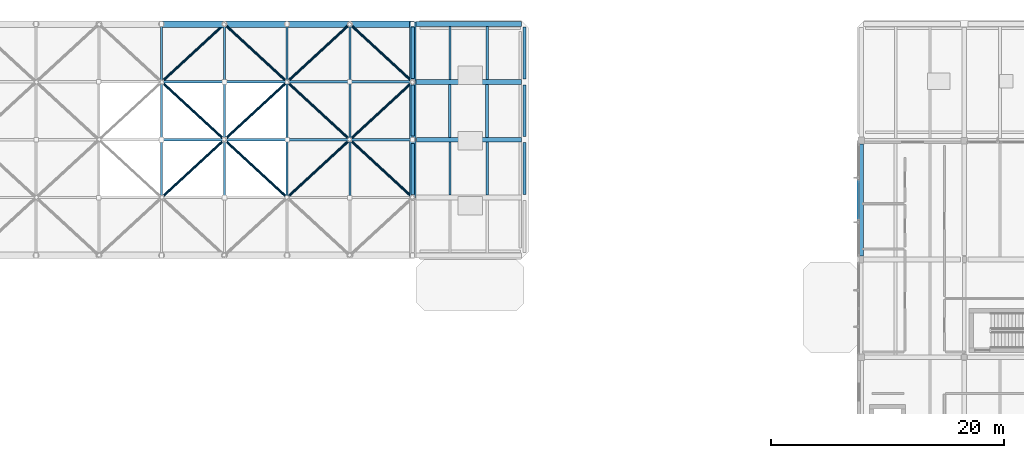
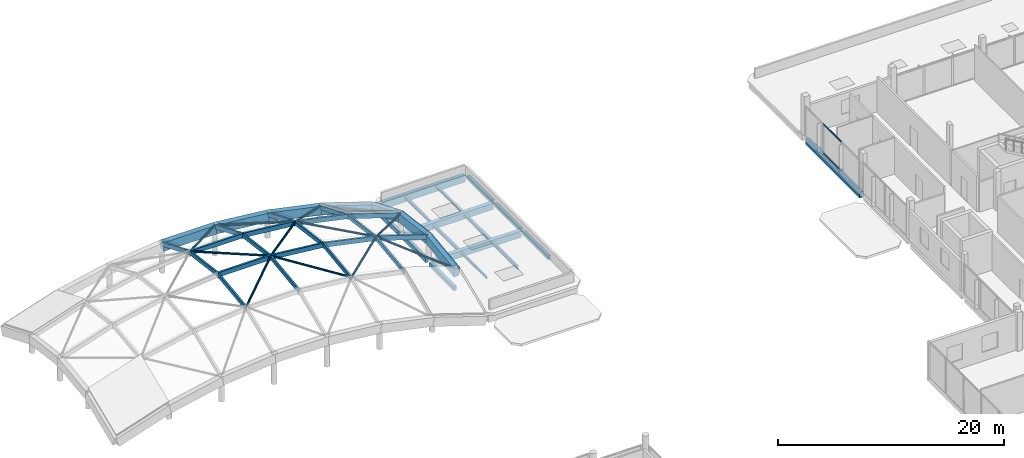
# One storey, part 22 of 66: 34 members, 23 beams, 1 element without a shape of its own.
"""IFC4 building model written with IfcOpenShell, lengths in metres."""

from ifc_helpers import new_model, si_unit, direction, frame, origin, origin_2d, place, context, subcontext, project, spatial, rectangle, hollow_circle, i_section, extrude, material, layer, layer_set, material_profile, profile_set, type_object, element, aggregate, save


model = new_model("IFC4")

# Units and contexts
model_context = context("Model", 3, precision=1e-05, world=origin(), true_north=direction((0.0, 1.0)))
body_context = subcontext(model_context, "Body", "Model", "MODEL_VIEW")
ifc_project = project(units=[si_unit("LENGTHUNIT", "METRE"), si_unit("AREAUNIT", "SQUARE_METRE"), si_unit("VOLUMEUNIT", "CUBIC_METRE"), si_unit("PLANEANGLEUNIT", "RADIAN"), si_unit("MASSUNIT", "GRAM", prefix="KILO")], contexts=[model_context])

# Site, building, storey
site_placement = place(None, origin())
site = spatial("IfcSite", under=ifc_project, at=site_placement, CompositionType="ELEMENT")
building_placement = place(site_placement, origin())
building = spatial("IfcBuilding", under=site, at=building_placement, Name="Birchvale Park Specialist Clinic", CompositionType="ELEMENT")
storey_placement = place(building_placement, frame((0.0, 0.0, 5.39990234375)))
storey = spatial("IfcBuildingStorey", under=building, at=storey_placement, Name="L01", CompositionType="ELEMENT", Elevation=5.39990234375)

# Beams
ifc_material_1 = material(Name="Concrete C40/50", Category="concrete")
ifc_material_profile_1 = material_profile(ifc_material_1, rectangle(XDim=0.419921875, YDim=0.719970703125, at=origin_2d()), Name="RCB-420x720")
ifc_profile_set_1 = profile_set([ifc_material_profile_1], Name="Concrete C40/50")
beam_type_1 = type_object("IfcBeamType", Name="BM-EXT-BG3", PredefinedType="BEAM", material=ifc_profile_set_1)
beam_1_placement = place(storey_placement, frame((90.110107421875, 111.39990234375, -0.635009765625), z_axis=(1.0, 0.0, 0.0), x_axis=(0.0, 1.0, 0.0)))
element("IfcBeam", 1, at=beam_1_placement, inside=storey, type_object=beam_type_1, Name="V3 L01 X girder 5", PredefinedType="BEAM", context=body_context, shape_type="SweptSolid", body=[
    extrude(rectangle(XDim=0.419921875, YDim=0.719970703125, at=origin_2d()), origin(), (0.0, 0.0, 1.0), 9.079833984375),
])
ifc_material_profile_2 = material_profile(ifc_material_1, rectangle(XDim=0.3798828125, YDim=0.639892578125, at=origin_2d()), Name="RCB-380x640")
ifc_profile_set_2 = profile_set([ifc_material_profile_2], Name="Concrete C40/50")
beam_type_2 = type_object("IfcBeamType", Name="BM-EXT-BG5", PredefinedType="BEAM", material=ifc_profile_set_2)
beam_2_placement = place(storey_placement, frame((128.35009765625, 91.489990234375, -0.619873046875), z_axis=(0.0, 1.0, 0.0), x_axis=(-1.0, 0.0, 0.0)))
element("IfcBeam", 2, at=beam_2_placement, inside=storey, type_object=beam_type_2, Name="V6 L01 Y girder 28", PredefinedType="BEAM", context=body_context, shape_type="SweptSolid", body=[
    extrude(rectangle(XDim=0.3798828125, YDim=0.639892578125, at=origin_2d()), origin(), (0.0, 0.0, 1.0), 9.6201171875),
])
ifc_material_profile_3 = material_profile(ifc_material_1, rectangle(XDim=0.280029296875, YDim=0.43994140625, at=origin_2d()), Name="RCB-280x440")
ifc_profile_set_3 = profile_set([ifc_material_profile_3], Name="Concrete C40/50")
beam_type_3 = type_object("IfcBeamType", Name="BM-EXT-BG9", PredefinedType="BEAM", material=ifc_profile_set_3)
beam_3_placement = place(storey_placement, frame((89.85009765625, 96.78759765625, -0.494873046875), z_axis=(0.0, 1.0, 0.0), x_axis=(-1.0, 0.0, 0.0)))
element("IfcBeam", 3, at=beam_3_placement, inside=storey, type_object=beam_type_3, Name="V3 L01 Y girder 7", PredefinedType="BEAM", context=body_context, shape_type="SweptSolid", body=[
    extrude(rectangle(XDim=0.280029296875, YDim=0.43994140625, at=origin_2d()), origin(), (0.0, 0.0, 1.0), 4.3623046875),
])
beam_4_placement = place(storey_placement, frame((89.85009765625, 101.800048828125, -0.494873046875), z_axis=(0.0, 1.0, 0.0), x_axis=(-1.0, 0.0, 0.0)))
element("IfcBeam", 4, at=beam_4_placement, inside=storey, type_object=beam_type_3, Name="V3 L01 Y girder 8", PredefinedType="BEAM", context=body_context, shape_type="SweptSolid", body=[
    extrude(rectangle(XDim=0.280029296875, YDim=0.43994140625, at=origin_2d()), origin(), (0.0, 0.0, 1.0), 4.362548828125),
])
beam_5_placement = place(storey_placement, frame((89.85009765625, 106.71240234375, -0.494873046875), z_axis=(0.0, 1.0, 0.0), x_axis=(-1.0, 0.0, 0.0)))
element("IfcBeam", 5, at=beam_5_placement, inside=storey, type_object=beam_type_3, Name="V3 L01 Y girder 9", PredefinedType="BEAM", context=body_context, shape_type="SweptSolid", body=[
    extrude(rectangle(XDim=0.280029296875, YDim=0.43994140625, at=origin_2d()), origin(), (0.0, 0.0, 1.0), 4.427490234375),
])
beam_6_placement = place(storey_placement, frame((99.449951171875, 96.7724609375, -0.494873046875), z_axis=(0.0, 1.0, 0.0), x_axis=(-1.0, 0.0, 0.0)))
element("IfcBeam", 6, at=beam_6_placement, inside=storey, type_object=beam_type_3, Name="V3 L01 Y girder 11", PredefinedType="BEAM", context=body_context, shape_type="SweptSolid", body=[
    extrude(rectangle(XDim=0.280029296875, YDim=0.43994140625, at=origin_2d()), origin(), (0.0, 0.0, 1.0), 4.442626953125),
])
for number, where, z_axis, x_axis, name in (
    (7, (99.449951171875, 101.735107421875, -0.494873046875), (0.0, 1.0, 0.0), (-1.0, 0.0, 0.0), "V3 L01 Y girder 12"),
    (8, (99.449951171875, 106.697509765625, -0.494873046875), (0.0, 1.0, 0.0), (-1.0, 0.0, 0.0), "V3 L01 Y girder 13"),
):
    element("IfcBeam", number, at=place(storey_placement, frame(where, z_axis=z_axis, x_axis=x_axis)), inside=storey, type_object=beam_type_3, Name=name, PredefinedType="BEAM", context=body_context, shape_type="SweptSolid", body=[
        extrude(rectangle(XDim=0.280029296875, YDim=0.43994140625, at=origin_2d()), origin(), (0.0, 0.0, 1.0), 4.4423828125),
    ])
ifc_material_profile_4 = material_profile(ifc_material_1, rectangle(XDim=0.550048828125, YDim=0.93994140625, at=origin_2d()), Name="RCB-550x940")
ifc_profile_set_4 = profile_set([ifc_material_profile_4], Name="Concrete C40/50")
beam_type_4 = type_object("IfcBeamType", Name="BM-EXT-RB1", PredefinedType="BEAM", material=ifc_profile_set_4)
beam_7_placement = place(storey_placement, frame((68.30712890625, 111.39990234375, 2.817138671875), z_axis=(1.0, 0.0, 0.0), x_axis=(0.0, 1.0, 0.0)))
element("IfcBeam", 9, at=beam_7_placement, inside=storey, type_object=beam_type_4, Name="V3 gridshell perimeter ring beam 11", PredefinedType="BEAM", context=body_context, shape_type="SweptSolid", body=[
    extrude(rectangle(XDim=0.550048828125, YDim=0.93994140625, at=origin_2d()), origin(), (0.0, 0.0, 1.0), 5.3857421875),
])
beam_8_placement = place(storey_placement, frame((73.69287109375, 111.39990234375, 2.817138671875), z_axis=(0.994608725176, 0.0, -0.103699005798), x_axis=(0.0, 1.0, 0.0)))
element("IfcBeam", 10, at=beam_8_placement, inside=storey, type_object=beam_type_4, Name="V3 gridshell perimeter ring beam 12", PredefinedType="BEAM", context=body_context, shape_type="SweptSolid", body=[
    extrude(rectangle(XDim=0.550048828125, YDim=0.93994140625, at=origin_2d()), origin(), (0.0, 0.0, 1.0), 5.4150390625),
])
beam_9_placement = place(storey_placement, frame((79.07861328125, 111.39990234375, 2.255615234375), z_axis=(0.978246670793, 0.0, -0.207445055574), x_axis=(0.0, 1.0, 0.0)))
element("IfcBeam", 11, at=beam_9_placement, inside=storey, type_object=beam_type_4, Name="V3 gridshell perimeter ring beam 13", PredefinedType="BEAM", context=body_context, shape_type="SweptSolid", body=[
    extrude(rectangle(XDim=0.550048828125, YDim=0.93994140625, at=origin_2d()), origin(), (0.0, 0.0, 1.0), 5.505615234375),
])
beam_10_placement = place(storey_placement, frame((84.46435546875, 111.39990234375, 1.113525390625), z_axis=(0.950354284012, 0.0, -0.311169945304), x_axis=(0.0, 1.0, 0.0)))
element("IfcBeam", 12, at=beam_10_placement, inside=storey, type_object=beam_type_4, Name="V3 gridshell perimeter ring beam 14", PredefinedType="BEAM", context=body_context, shape_type="SweptSolid", body=[
    extrude(rectangle(XDim=0.550048828125, YDim=0.93994140625, at=origin_2d()), origin(), (0.0, 0.0, 1.0), 5.6669921875),
])
beam_11_placement = place(storey_placement, frame((89.85009765625, 96.512451171875, 1.421630859375), z_axis=(0.0, 0.99174587528, 0.128219026922), x_axis=(-1.0, 0.0, 0.0)))
element("IfcBeam", 13, at=beam_11_placement, inside=storey, type_object=beam_type_4, Name="V3 gridshell perimeter ring beam 20", PredefinedType="BEAM", context=body_context, shape_type="SweptSolid", body=[
    extrude(rectangle(XDim=0.550048828125, YDim=0.93994140625, at=origin_2d()), origin(), (0.0, 0.0, 1.0), 5.00390625),
])
beam_12_placement = place(storey_placement, frame((89.85009765625, 101.47509765625, 2.063232421875), z_axis=(0.0, 0.991745073115, -0.128225231337), x_axis=(-1.0, 0.0, 0.0)))
element("IfcBeam", 14, at=beam_12_placement, inside=storey, type_object=beam_type_4, Name="V3 gridshell perimeter ring beam 21", PredefinedType="BEAM", context=body_context, shape_type="SweptSolid", body=[
    extrude(rectangle(XDim=0.550048828125, YDim=0.93994140625, at=origin_2d()), origin(), (0.0, 0.0, 1.0), 5.003662109375),
])
beam_13_placement = place(storey_placement, frame((89.85009765625, 106.4375, 1.421630859375), z_axis=(0.0, 0.922821506922, -0.385227810993), x_axis=(-1.0, 0.0, 0.0)))
element("IfcBeam", 15, at=beam_13_placement, inside=storey, type_object=beam_type_4, Name="V3 gridshell perimeter ring beam 22", PredefinedType="BEAM", context=body_context, shape_type="SweptSolid", body=[
    extrude(rectangle(XDim=0.550048828125, YDim=0.93994140625, at=origin_2d()), origin(), (0.0, 0.0, 1.0), 5.37744140625),
])
ifc_material_profile_5 = material_profile(ifc_material_1, rectangle(XDim=0.419921875, YDim=0.679931640625, at=origin_2d()), Name="RCB-420x680")
ifc_profile_set_5 = profile_set([ifc_material_profile_5], Name="Concrete C40/50")
beam_type_5 = type_object("IfcBeamType", Name="BM-INT-BG3", PredefinedType="BEAM", material=ifc_profile_set_5)
beam_14_placement = place(storey_placement, frame((90.175048828125, 101.47509765625, -0.614990234375), z_axis=(1.0, 0.0, 0.0), x_axis=(0.0, 1.0, 0.0)))
element("IfcBeam", 16, at=beam_14_placement, inside=storey, type_object=beam_type_5, Name="V3 L01 X girder 3", PredefinedType="BEAM", context=body_context, shape_type="SweptSolid", body=[
    extrude(rectangle(XDim=0.419921875, YDim=0.679931640625, at=origin_2d()), origin(), (0.0, 0.0, 1.0), 9.014892578125),
])
beam_15_placement = place(storey_placement, frame((90.125, 106.4375, -0.614990234375), z_axis=(1.0, 0.0, 0.0), x_axis=(0.0, 1.0, 0.0)))
element("IfcBeam", 17, at=beam_15_placement, inside=storey, type_object=beam_type_5, Name="V3 L01 X girder 4", PredefinedType="BEAM", context=body_context, shape_type="SweptSolid", body=[
    extrude(rectangle(XDim=0.419921875, YDim=0.679931640625, at=origin_2d()), origin(), (0.0, 0.0, 1.0), 9.06494140625),
])

# Curtain wall, members
ifc_material_2 = material(Name="Thermally broken anodised aluminium", Category="aluminium")
ifc_layer = layer(ifc_material_2, 0.2099609375)
ifc_layer_set = layer_set([ifc_layer], Name="Thermally broken anodised aluminium")
curtain_wall_type = type_object("IfcCurtainWallType", Name="CW-U3", PredefinedType="USERDEFINED", material=ifc_layer_set)
curtain_wall_placement = place(storey_placement, origin())
curtain_wall = element("IfcCurtainWall", 18, at=curtain_wall_placement, inside=storey, type_object=curtain_wall_type, Name="V6 L01 glazed curtain wall 100", ObjectType="UNITISED", PredefinedType="USERDEFINED")
ifc_material_profile_6 = material_profile(ifc_material_2, rectangle(XDim=0.070068359375, YDim=0.14990234375, at=origin_2d()), Name="CWT-70x150")
ifc_profile_set_6 = profile_set([ifc_material_profile_6], Name="Thermally broken anodised aluminium")
member_type_1 = type_object("IfcMemberType", Name="CWT3", PredefinedType="USERDEFINED", material=ifc_profile_set_6)
member_1_placement = place(storey_placement, frame((128.14501953125, 97.868408203125, 0.03515625), z_axis=(0.0, -1.0, 0.0), x_axis=(1.0, 0.0, 0.0)))
member_1 = element("IfcMember", 19, at=member_1_placement, type_object=member_type_1, Name="CW transom 2.1", ObjectType="TRANSOM", PredefinedType="USERDEFINED", context=body_context, shape_type="SweptSolid", body=[
    extrude(rectangle(XDim=0.070068359375, YDim=0.14990234375, at=origin_2d()), origin(), (0.0, 0.0, 1.0), 3.13671875),
])
member_2_placement = place(storey_placement, frame((128.14501953125, 97.868408203125, 3.2001953125), z_axis=(0.0, -1.0, 0.0), x_axis=(1.0, 0.0, 0.0)))
member_2 = element("IfcMember", 20, at=member_2_placement, type_object=member_type_1, Name="CW transom 2.2", ObjectType="TRANSOM", PredefinedType="USERDEFINED", context=body_context, shape_type="SweptSolid", body=[
    extrude(rectangle(XDim=0.070068359375, YDim=0.14990234375, at=origin_2d()), origin(), (0.0, 0.0, 1.0), 3.13671875),
])
aggregate(curtain_wall, [member_1, member_2])

# Members
ifc_material_3 = material(Name="Steel EN 10210 S355", Category="steel")
ifc_material_profile_7 = material_profile(ifc_material_3, hollow_circle(Radius=0.109619140625, WallThickness=0.010009765625, at=origin_2d()), Name="CHS219.1X10")
ifc_profile_set_7 = profile_set([ifc_material_profile_7], Name="Steel EN 10210 S355")
member_type_2 = type_object("IfcMemberType", Name="MEM-BR2", PredefinedType="BRACE", material=ifc_profile_set_7)
for number, where, z_axis, x_axis, name in (
    (21, (68.340087890625, 96.54296875, 5.222900390625), (0.732616311579, 0.675022381256, 0.087281869888), (-0.677608368327, 0.735422938977, 0.0), "V3 gridshell tubular steel diagonal 14"),
    (22, (73.659912109375, 101.50537109375, 5.856689453125), (-0.732616311579, 0.675022381256, -0.087281869888), (-0.677608368327, -0.735422938977, 0.0), "V3 gridshell tubular steel diagonal 15"),
):
    element("IfcMember", number, at=place(storey_placement, frame(where, z_axis=z_axis, x_axis=x_axis)), inside=storey, type_object=member_type_2, Name=name, PredefinedType="BRACE", context=body_context, shape_type="SweptSolid", body=[
        extrude(hollow_circle(Radius=0.109619140625, WallThickness=0.010009765625, at=origin_2d()), origin(), (0.0, 0.0, 1.0), 7.261474609375),
    ])
member_3_placement = place(storey_placement, frame((68.3388671875, 106.466796875, 5.206787109375), z_axis=(0.707665830783, 0.652026416381, -0.272159189233), x_axis=(-0.67760446633, 0.735426534203, 0.0)))
element("IfcMember", 23, at=member_3_placement, inside=storey, type_object=member_type_2, Name="V3 gridshell tubular steel diagonal 16", PredefinedType="BRACE", context=body_context, shape_type="SweptSolid", body=[
    extrude(hollow_circle(Radius=0.109619140625, WallThickness=0.010009765625, at=origin_2d()), origin(), (0.0, 0.0, 1.0), 7.52099609375),
])
for number, where, z_axis, x_axis, name in (
    (24, (79.0458984375, 96.54248046875, 4.664794921875), (-0.725672746466, 0.668663213521, 0.162137509294), (-0.677629489408, -0.735403477748, 0.0), "V3 gridshell tubular steel diagonal 18"),
    (25, (73.7255859375, 101.505126953125, 5.853515625), (0.725672746466, 0.668663213521, -0.162137509294), (-0.677629489408, 0.735403477748, 0.0), "V3 gridshell tubular steel diagonal 19"),
):
    element("IfcMember", number, at=place(storey_placement, frame(where, z_axis=z_axis, x_axis=x_axis)), inside=storey, type_object=member_type_2, Name=name, PredefinedType="BRACE", context=body_context, shape_type="SweptSolid", body=[
        extrude(hollow_circle(Radius=0.109619140625, WallThickness=0.010009765625, at=origin_2d()), origin(), (0.0, 0.0, 1.0), 7.33154296875),
    ])
member_4_placement = place(storey_placement, frame((79.046142578125, 106.46728515625, 4.6484375), z_axis=(-0.720252383903, 0.663673872329, -0.201924477638), x_axis=(-0.677632356717, -0.735400835688, 0.0)))
element("IfcMember", 26, at=member_4_placement, inside=storey, type_object=member_type_2, Name="V3 gridshell tubular steel diagonal 20", PredefinedType="BRACE", context=body_context, shape_type="SweptSolid", body=[
    extrude(hollow_circle(Radius=0.109619140625, WallThickness=0.010009765625, at=origin_2d()), origin(), (0.0, 0.0, 1.0), 7.387451171875),
])
for number, where, z_axis, x_axis, name in (
    (27, (79.111572265625, 96.54296875, 4.654296875), (0.733713036358, 0.676032888066, -0.068152142524), (-0.677608368327, 0.735422938977, 0.0), "V3 gridshell tubular steel diagonal 22"),
    (28, (84.431396484375, 101.50537109375, 4.16015625), (-0.733713036358, 0.676032888066, 0.068152142524), (-0.677608368327, -0.735422938977, 0.0), "V3 gridshell tubular steel diagonal 23"),
):
    element("IfcMember", number, at=place(storey_placement, frame(where, z_axis=z_axis, x_axis=x_axis)), inside=storey, type_object=member_type_2, Name=name, PredefinedType="BRACE", context=body_context, shape_type="SweptSolid", body=[
        extrude(hollow_circle(Radius=0.109619140625, WallThickness=0.010009765625, at=origin_2d()), origin(), (0.0, 0.0, 1.0), 7.25048828125),
    ])
member_5_placement = place(storey_placement, frame((79.10888671875, 106.46533203125, 4.639404296875), z_axis=(0.673435360148, 0.620516406944, -0.401801200118), x_axis=(-0.677621670904, 0.735410681947, 0.0)))
element("IfcMember", 29, at=member_5_placement, inside=storey, type_object=member_type_2, Name="V3 gridshell tubular steel diagonal 24", PredefinedType="BRACE", context=body_context, shape_type="SweptSolid", body=[
    extrude(hollow_circle(Radius=0.109619140625, WallThickness=0.010009765625, at=origin_2d()), origin(), (0.0, 0.0, 1.0), 7.907470703125),
])
for number, where, z_axis, x_axis, name in (
    (30, (89.818603515625, 96.54150390625, 1.76611328125), (-0.698710597789, 0.643782837177, 0.312005062609), (-0.677608769353, -0.735422569476, 0.0), "V3 gridshell tubular steel diagonal 26"),
    (31, (84.49560546875, 101.50390625, 4.14306640625), (0.698710597789, 0.643782837177, -0.312005062609), (-0.677608769353, 0.735422569476, 0.0), "V3 gridshell tubular steel diagonal 27"),
):
    element("IfcMember", number, at=place(storey_placement, frame(where, z_axis=z_axis, x_axis=x_axis)), inside=storey, type_object=member_type_2, Name=name, PredefinedType="BRACE", context=body_context, shape_type="SweptSolid", body=[
        extrude(hollow_circle(Radius=0.109619140625, WallThickness=0.010009765625, at=origin_2d()), origin(), (0.0, 0.0, 1.0), 7.618408203125),
    ])
member_6_placement = place(storey_placement, frame((89.81689453125, 106.468017578125, 1.75), z_axis=(-0.734774775322, 0.677008508392, -0.042017961818), x_axis=(-0.677606933249, -0.735424261235, 0.0)))
element("IfcMember", 32, at=member_6_placement, inside=storey, type_object=member_type_2, Name="V3 gridshell tubular steel diagonal 28", PredefinedType="BRACE", context=body_context, shape_type="SweptSolid", body=[
    extrude(hollow_circle(Radius=0.109619140625, WallThickness=0.010009765625, at=origin_2d()), origin(), (0.0, 0.0, 1.0), 7.23974609375),
])
ifc_material_4 = material(Name="Glulam GL28h", Category="wood")
ifc_material_profile_8 = material_profile(ifc_material_4, rectangle(XDim=0.199951171875, YDim=0.47998046875, at=origin_2d()), Name="GL-200x480")
ifc_profile_set_8 = profile_set([ifc_material_profile_8], Name="Glulam GL28h")
member_type_3 = type_object("IfcMemberType", Name="MEM-GC3", PredefinedType="CHORD", material=ifc_profile_set_8)
member_7_placement = place(storey_placement, frame((68.30712890625, 101.47509765625, 5.7353515625), z_axis=(1.0, 0.0, 0.0), x_axis=(0.0, 1.0, 0.0)))
element("IfcMember", 33, at=member_7_placement, inside=storey, type_object=member_type_3, Name="V3 gridshell longitudinal glulam rib 11", PredefinedType="CHORD", context=body_context, shape_type="SweptSolid", body=[
    extrude(rectangle(XDim=0.199951171875, YDim=0.47998046875, at=origin_2d()), origin(), (0.0, 0.0, 1.0), 5.3857421875),
])
member_8_placement = place(storey_placement, frame((73.69287109375, 101.47509765625, 5.7353515625), z_axis=(0.994604073977, 0.0, -0.103743607172), x_axis=(0.0, 1.0, 0.0)))
element("IfcMember", 34, at=member_8_placement, inside=storey, type_object=member_type_3, Name="V3 gridshell longitudinal glulam rib 12", PredefinedType="CHORD", context=body_context, shape_type="SweptSolid", body=[
    extrude(rectangle(XDim=0.199951171875, YDim=0.47998046875, at=origin_2d()), origin(), (0.0, 0.0, 1.0), 5.4150390625),
])
member_9_placement = place(storey_placement, frame((79.07861328125, 101.47509765625, 5.173583984375), z_axis=(0.978255668957, 0.0, -0.207402618482), x_axis=(0.0, 1.0, 0.0)))
element("IfcMember", 35, at=member_9_placement, inside=storey, type_object=member_type_3, Name="V3 gridshell longitudinal glulam rib 13", PredefinedType="CHORD", context=body_context, shape_type="SweptSolid", body=[
    extrude(rectangle(XDim=0.199951171875, YDim=0.47998046875, at=origin_2d()), origin(), (0.0, 0.0, 1.0), 5.50537109375),
])
member_10_placement = place(storey_placement, frame((84.46435546875, 101.47509765625, 4.03173828125), z_axis=(0.950354284012, 0.0, -0.311169945304), x_axis=(0.0, 1.0, 0.0)))
element("IfcMember", 36, at=member_10_placement, inside=storey, type_object=member_type_3, Name="V3 gridshell longitudinal glulam rib 14", PredefinedType="CHORD", context=body_context, shape_type="SweptSolid", body=[
    extrude(rectangle(XDim=0.199951171875, YDim=0.47998046875, at=origin_2d()), origin(), (0.0, 0.0, 1.0), 5.6669921875),
])
member_11_placement = place(storey_placement, frame((68.30712890625, 106.4375, 5.093505859375), z_axis=(1.0, 0.0, 0.0), x_axis=(0.0, 1.0, 0.0)))
element("IfcMember", 37, at=member_11_placement, inside=storey, type_object=member_type_3, Name="V3 gridshell longitudinal glulam rib 18", PredefinedType="CHORD", context=body_context, shape_type="SweptSolid", body=[
    extrude(rectangle(XDim=0.199951171875, YDim=0.47998046875, at=origin_2d()), origin(), (0.0, 0.0, 1.0), 5.3857421875),
])
member_12_placement = place(storey_placement, frame((73.69287109375, 106.4375, 5.093505859375), z_axis=(0.994608725176, 0.0, -0.103699005798), x_axis=(0.0, 1.0, 0.0)))
element("IfcMember", 38, at=member_12_placement, inside=storey, type_object=member_type_3, Name="V3 gridshell longitudinal glulam rib 19", PredefinedType="CHORD", context=body_context, shape_type="SweptSolid", body=[
    extrude(rectangle(XDim=0.199951171875, YDim=0.47998046875, at=origin_2d()), origin(), (0.0, 0.0, 1.0), 5.4150390625),
])
member_13_placement = place(storey_placement, frame((79.07861328125, 106.4375, 4.531982421875), z_axis=(0.978246670793, 0.0, -0.207445055574), x_axis=(0.0, 1.0, 0.0)))
element("IfcMember", 39, at=member_13_placement, inside=storey, type_object=member_type_3, Name="V3 gridshell longitudinal glulam rib 20", PredefinedType="CHORD", context=body_context, shape_type="SweptSolid", body=[
    extrude(rectangle(XDim=0.199951171875, YDim=0.47998046875, at=origin_2d()), origin(), (0.0, 0.0, 1.0), 5.505615234375),
])
member_14_placement = place(storey_placement, frame((84.46435546875, 106.4375, 3.389892578125), z_axis=(0.950367023203, 0.0, -0.31113103543), x_axis=(0.0, 1.0, 0.0)))
element("IfcMember", 40, at=member_14_placement, inside=storey, type_object=member_type_3, Name="V3 gridshell longitudinal glulam rib 21", PredefinedType="CHORD", context=body_context, shape_type="SweptSolid", body=[
    extrude(rectangle(XDim=0.199951171875, YDim=0.47998046875, at=origin_2d()), origin(), (0.0, 0.0, 1.0), 5.6669921875),
])
ifc_material_profile_9 = material_profile(ifc_material_4, rectangle(XDim=0.179931640625, YDim=0.419921875, at=origin_2d()), Name="GL-180x420")
ifc_profile_set_9 = profile_set([ifc_material_profile_9], Name="Glulam GL28h")
member_type_4 = type_object("IfcMemberType", Name="MEM-GC4", PredefinedType="CHORD", material=ifc_profile_set_9)
member_15_placement = place(storey_placement, frame((68.30712890625, 96.512451171875, 5.093505859375), z_axis=(0.0, 0.991739670041, 0.128267013949), x_axis=(-1.0, 0.0, 0.0)))
element("IfcMember", 41, at=member_15_placement, inside=storey, type_object=member_type_4, Name="V3 gridshell transverse glulam rib 31", PredefinedType="CHORD", context=body_context, shape_type="SweptSolid", body=[
    extrude(rectangle(XDim=0.179931640625, YDim=0.419921875, at=origin_2d()), origin(), (0.0, 0.0, 1.0), 5.00390625),
])
member_16_placement = place(storey_placement, frame((68.30712890625, 101.47509765625, 5.7353515625), z_axis=(0.0, 0.991738867281, -0.128273220608), x_axis=(-1.0, 0.0, 0.0)))
element("IfcMember", 42, at=member_16_placement, inside=storey, type_object=member_type_4, Name="V3 gridshell transverse glulam rib 32", PredefinedType="CHORD", context=body_context, shape_type="SweptSolid", body=[
    extrude(rectangle(XDim=0.179931640625, YDim=0.419921875, at=origin_2d()), origin(), (0.0, 0.0, 1.0), 5.003662109375),
])
member_17_placement = place(storey_placement, frame((68.30712890625, 106.4375, 5.093505859375), z_axis=(0.0, 0.922837646305, -0.385189146475), x_axis=(-1.0, 0.0, 0.0)))
element("IfcMember", 43, at=member_17_placement, inside=storey, type_object=member_type_4, Name="V3 gridshell transverse glulam rib 33", PredefinedType="CHORD", context=body_context, shape_type="SweptSolid", body=[
    extrude(rectangle(XDim=0.179931640625, YDim=0.419921875, at=origin_2d()), origin(), (0.0, 0.0, 1.0), 5.37744140625),
])
member_18_placement = place(storey_placement, frame((73.69287109375, 96.512451171875, 5.093505859375), z_axis=(0.0, 0.991739670041, 0.128267013949), x_axis=(-1.0, 0.0, 0.0)))
element("IfcMember", 44, at=member_18_placement, inside=storey, type_object=member_type_4, Name="V3 gridshell transverse glulam rib 35", PredefinedType="CHORD", context=body_context, shape_type="SweptSolid", body=[
    extrude(rectangle(XDim=0.179931640625, YDim=0.419921875, at=origin_2d()), origin(), (0.0, 0.0, 1.0), 5.00390625),
])
member_19_placement = place(storey_placement, frame((73.69287109375, 101.47509765625, 5.7353515625), z_axis=(0.0, 0.991738867281, -0.128273220608), x_axis=(-1.0, 0.0, 0.0)))
element("IfcMember", 45, at=member_19_placement, inside=storey, type_object=member_type_4, Name="V3 gridshell transverse glulam rib 36", PredefinedType="CHORD", context=body_context, shape_type="SweptSolid", body=[
    extrude(rectangle(XDim=0.179931640625, YDim=0.419921875, at=origin_2d()), origin(), (0.0, 0.0, 1.0), 5.003662109375),
])
member_20_placement = place(storey_placement, frame((73.69287109375, 106.4375, 5.093505859375), z_axis=(0.0, 0.922837646305, -0.385189146475), x_axis=(-1.0, 0.0, 0.0)))
element("IfcMember", 46, at=member_20_placement, inside=storey, type_object=member_type_4, Name="V3 gridshell transverse glulam rib 37", PredefinedType="CHORD", context=body_context, shape_type="SweptSolid", body=[
    extrude(rectangle(XDim=0.179931640625, YDim=0.419921875, at=origin_2d()), origin(), (0.0, 0.0, 1.0), 5.37744140625),
])
member_21_placement = place(storey_placement, frame((79.07861328125, 96.512451171875, 4.531982421875), z_axis=(0.0, 0.99174587528, 0.128219026922), x_axis=(-1.0, 0.0, 0.0)))
element("IfcMember", 47, at=member_21_placement, inside=storey, type_object=member_type_4, Name="V3 gridshell transverse glulam rib 39", PredefinedType="CHORD", context=body_context, shape_type="SweptSolid", body=[
    extrude(rectangle(XDim=0.179931640625, YDim=0.419921875, at=origin_2d()), origin(), (0.0, 0.0, 1.0), 5.00390625),
])
member_22_placement = place(storey_placement, frame((79.07861328125, 101.47509765625, 5.173583984375), z_axis=(0.0, 0.991745073115, -0.128225231337), x_axis=(-1.0, 0.0, 0.0)))
element("IfcMember", 48, at=member_22_placement, inside=storey, type_object=member_type_4, Name="V3 gridshell transverse glulam rib 40", PredefinedType="CHORD", context=body_context, shape_type="SweptSolid", body=[
    extrude(rectangle(XDim=0.179931640625, YDim=0.419921875, at=origin_2d()), origin(), (0.0, 0.0, 1.0), 5.003662109375),
])
member_23_placement = place(storey_placement, frame((79.07861328125, 106.4375, 4.531982421875), z_axis=(0.0, 0.922837646305, -0.385189146475), x_axis=(-1.0, 0.0, 0.0)))
element("IfcMember", 49, at=member_23_placement, inside=storey, type_object=member_type_4, Name="V3 gridshell transverse glulam rib 41", PredefinedType="CHORD", context=body_context, shape_type="SweptSolid", body=[
    extrude(rectangle(XDim=0.179931640625, YDim=0.419921875, at=origin_2d()), origin(), (0.0, 0.0, 1.0), 5.37744140625),
])
member_24_placement = place(storey_placement, frame((84.46435546875, 96.512451171875, 3.389892578125), z_axis=(0.0, 0.991739670041, 0.128267013949), x_axis=(-1.0, 0.0, 0.0)))
element("IfcMember", 50, at=member_24_placement, inside=storey, type_object=member_type_4, Name="V3 gridshell transverse glulam rib 43", PredefinedType="CHORD", context=body_context, shape_type="SweptSolid", body=[
    extrude(rectangle(XDim=0.179931640625, YDim=0.419921875, at=origin_2d()), origin(), (0.0, 0.0, 1.0), 5.00390625),
])
member_25_placement = place(storey_placement, frame((84.46435546875, 101.47509765625, 4.03173828125), z_axis=(0.0, 0.991738867281, -0.128273220608), x_axis=(-1.0, 0.0, 0.0)))
element("IfcMember", 51, at=member_25_placement, inside=storey, type_object=member_type_4, Name="V3 gridshell transverse glulam rib 44", PredefinedType="CHORD", context=body_context, shape_type="SweptSolid", body=[
    extrude(rectangle(XDim=0.179931640625, YDim=0.419921875, at=origin_2d()), origin(), (0.0, 0.0, 1.0), 5.003662109375),
])
member_26_placement = place(storey_placement, frame((84.46435546875, 106.4375, 3.389892578125), z_axis=(0.0, 0.922837646305, -0.385189146475), x_axis=(-1.0, 0.0, 0.0)))
element("IfcMember", 52, at=member_26_placement, inside=storey, type_object=member_type_4, Name="V3 gridshell transverse glulam rib 45", PredefinedType="CHORD", context=body_context, shape_type="SweptSolid", body=[
    extrude(rectangle(XDim=0.179931640625, YDim=0.419921875, at=origin_2d()), origin(), (0.0, 0.0, 1.0), 5.37744140625),
])

# Beams
ifc_material_5 = material(Name="Steel ASTM A992 Grade 50", Category="steel")
ifc_material_profile_10 = material_profile(ifc_material_5, i_section(OverallWidth=0.2041015625, OverallDepth=0.35107421875, WebThickness=0.008544921875, FlangeThickness=0.01513671875, at=origin_2d()), Name="W14X48")
ifc_profile_set_10 = profile_set([ifc_material_profile_10], Name="Steel ASTM A992 Grade 50")
beam_type_6 = type_object("IfcBeamType", Name="STL-INT-SJ1", PredefinedType="JOIST", material=ifc_profile_set_10)
for number, where, z_axis, x_axis, name in (
    (53, (96.25, 96.722412109375, -0.450439453125), (0.0, 1.0, 0.0), (-1.0, 0.0, 0.0), "V3 L01 secondary floor joist 4"),
    (54, (93.050048828125, 101.68505859375, -0.450439453125), (0.0, 1.0, 0.0), (-1.0, 0.0, 0.0), "V3 L01 secondary floor joist 5"),
):
    element("IfcBeam", number, at=place(storey_placement, frame(where, z_axis=z_axis, x_axis=x_axis)), inside=storey, type_object=beam_type_6, Name=name, PredefinedType="JOIST", context=body_context, shape_type="SweptSolid", body=[
        extrude(i_section(OverallWidth=0.2041015625, OverallDepth=0.35107421875, WebThickness=0.008544921875, FlangeThickness=0.01513671875, at=origin_2d()), origin(), (0.0, 0.0, 1.0), 4.54248046875),
    ])
ifc_material_profile_11 = material_profile(ifc_material_5, i_section(OverallWidth=0.25390625, OverallDepth=0.305908203125, WebThickness=0.0087890625, FlangeThickness=0.0146484375, at=origin_2d()), Name="W12X53")
ifc_profile_set_11 = profile_set([ifc_material_profile_11], Name="Steel ASTM A992 Grade 50")
beam_type_7 = type_object("IfcBeamType", Name="STL-INT-SJ2", PredefinedType="JOIST", material=ifc_profile_set_11)
beam_16_placement = place(storey_placement, frame((96.25, 101.68505859375, -0.427978515625), z_axis=(0.0, 1.0, 0.0), x_axis=(-1.0, 0.0, 0.0)))
element("IfcBeam", 55, at=beam_16_placement, inside=storey, type_object=beam_type_7, Name="V3 L01 secondary floor joist 6", PredefinedType="JOIST", context=body_context, shape_type="SweptSolid", body=[
    extrude(i_section(OverallWidth=0.25390625, OverallDepth=0.305908203125, WebThickness=0.0087890625, FlangeThickness=0.0146484375, at=origin_2d()), origin(), (0.0, 0.0, 1.0), 4.54248046875),
])
ifc_material_profile_12 = material_profile(ifc_material_5, i_section(OverallWidth=0.1669921875, OverallDepth=0.31689453125, WebThickness=0.007568359375, FlangeThickness=0.01318359375, at=origin_2d()), Name="W12X35")
ifc_profile_set_12 = profile_set([ifc_material_profile_12], Name="Steel ASTM A992 Grade 50")
beam_type_8 = type_object("IfcBeamType", Name="STL-INT-SJ3", PredefinedType="JOIST", material=ifc_profile_set_12)
beam_17_placement = place(storey_placement, frame((93.050048828125, 106.6474609375, -0.433349609375), z_axis=(0.0, 1.0, 0.0), x_axis=(-1.0, 0.0, 0.0)))
element("IfcBeam", 56, at=beam_17_placement, inside=storey, type_object=beam_type_8, Name="V3 L01 secondary floor joist 7", PredefinedType="JOIST", context=body_context, shape_type="SweptSolid", body=[
    extrude(i_section(OverallWidth=0.1669921875, OverallDepth=0.31689453125, WebThickness=0.007568359375, FlangeThickness=0.01318359375, at=origin_2d()), origin(), (0.0, 0.0, 1.0), 4.54248046875),
])
ifc_material_profile_13 = material_profile(ifc_material_5, i_section(OverallWidth=0.202880859375, OverallDepth=0.251953125, WebThickness=0.008056640625, FlangeThickness=0.013427734375, at=origin_2d()), Name="W10X39")
ifc_profile_set_13 = profile_set([ifc_material_profile_13], Name="Steel ASTM A992 Grade 50")
beam_type_9 = type_object("IfcBeamType", Name="STL-INT-SJ4", PredefinedType="JOIST", material=ifc_profile_set_13)
beam_18_placement = place(storey_placement, frame((96.25, 106.6474609375, -0.40087890625), z_axis=(0.0, 1.0, 0.0), x_axis=(-1.0, 0.0, 0.0)))
element("IfcBeam", 57, at=beam_18_placement, inside=storey, type_object=beam_type_9, Name="V3 L01 secondary floor joist 8", PredefinedType="JOIST", context=body_context, shape_type="SweptSolid", body=[
    extrude(i_section(OverallWidth=0.202880859375, OverallDepth=0.251953125, WebThickness=0.008056640625, FlangeThickness=0.013427734375, at=origin_2d()), origin(), (0.0, 0.0, 1.0), 4.54248046875),
])
ifc_material_profile_14 = material_profile(ifc_material_5, i_section(OverallWidth=0.14697265625, OverallDepth=0.261962890625, WebThickness=0.006591796875, FlangeThickness=0.01123046875, at=origin_2d()), Name="W10X26")
ifc_profile_set_14 = profile_set([ifc_material_profile_14], Name="Steel ASTM A992 Grade 50")
beam_type_10 = type_object("IfcBeamType", Name="STL-INT-SJ5", PredefinedType="JOIST", material=ifc_profile_set_14)
beam_19_placement = place(storey_placement, frame((93.050048828125, 96.722412109375, -0.406005859375), z_axis=(0.0, 1.0, 0.0), x_axis=(-1.0, 0.0, 0.0)))
element("IfcBeam", 58, at=beam_19_placement, inside=storey, type_object=beam_type_10, Name="V3 L01 secondary floor joist 3", PredefinedType="JOIST", context=body_context, shape_type="SweptSolid", body=[
    extrude(i_section(OverallWidth=0.14697265625, OverallDepth=0.261962890625, WebThickness=0.006591796875, FlangeThickness=0.01123046875, at=origin_2d()), origin(), (0.0, 0.0, 1.0), 4.54248046875),
])

save(model, "model.ifc")
